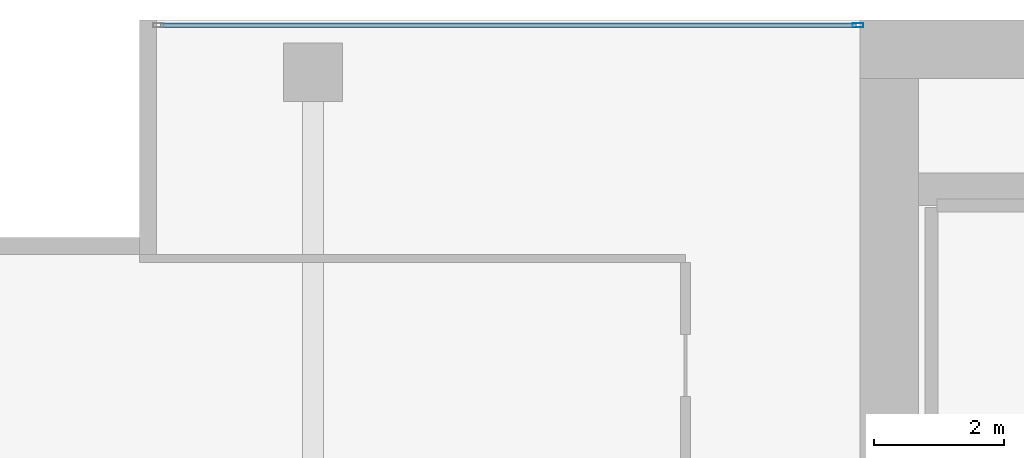
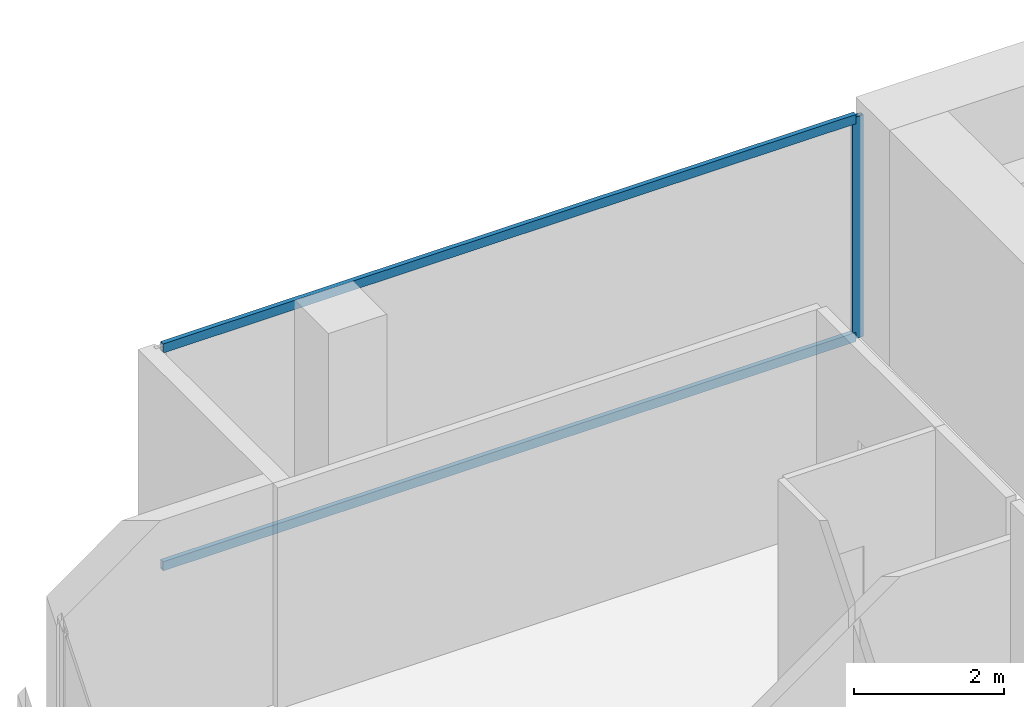
# One storey, part 26 of 40: 3 members, 1 element without a shape of its own.
"""IFC4 building model written with IfcOpenShell, lengths in metres."""

from ifc_helpers import new_model, si_unit, direction, frame, origin, origin_2d, place, context, subcontext, project, spatial, hollow_rectangle, extrude, material, layer, layer_set, material_profile, profile_set, type_object, element, aggregate, save


model = new_model("IFC4")

# Units and contexts
model_context = context("Model", 3, precision=1e-05, world=origin(), true_north=direction((0.0, 1.0)))
body_context = subcontext(model_context, "Body", "Model", "MODEL_VIEW")
ifc_project = project(units=[si_unit("LENGTHUNIT", "METRE"), si_unit("AREAUNIT", "SQUARE_METRE"), si_unit("VOLUMEUNIT", "CUBIC_METRE"), si_unit("PLANEANGLEUNIT", "RADIAN"), si_unit("MASSUNIT", "GRAM", prefix="KILO")], contexts=[model_context])

# Site, building, storey
site_placement = place(None, origin())
site = spatial("IfcSite", under=ifc_project, at=site_placement, CompositionType="ELEMENT")
building_placement = place(site_placement, origin())
building = spatial("IfcBuilding", under=site, at=building_placement, Name="Maruvema Waterfront Hotel and Observation Tower", CompositionType="ELEMENT")
storey_placement = place(building_placement, frame((0.0, 0.0, 80.85009765625)))
storey = spatial("IfcBuildingStorey", under=building, at=storey_placement, Name="L19", CompositionType="ELEMENT", Elevation=80.85009765625)

# Curtain wall, members
ifc_material_1 = material(Name="Anodised bronze aluminium and solar-control low-E IGU", Category="aluminium")
ifc_layer = layer(ifc_material_1, 0.159912109375, Name="Zone 1 Bronze Inner Thermal Curtain Wall System CW-02")
ifc_layer_set = layer_set([ifc_layer], Name="Anodised bronze aluminium and solar-control low-E IGU")
curtain_wall_type = type_object("IfcCurtainWallType", Name="Zone 1 Bronze Inner Thermal Curtain Wall System CW-02", PredefinedType="USERDEFINED", material=ifc_layer_set)
curtain_wall_placement = place(storey_placement, origin())
curtain_wall = element("IfcCurtainWall", 1, at=curtain_wall_placement, inside=storey, type_object=curtain_wall_type, Name="L19 Curtain Wall CW-L19-NW", ObjectType="UNITISED CURTAIN WALL", PredefinedType="USERDEFINED")
ifc_material_2 = material(Name="Anodised architectural bronze aluminium", Category="aluminium")
ifc_material_profile_1 = material_profile(ifc_material_2, hollow_rectangle(XDim=0.070068359375, YDim=0.14990234375, WallThickness=0.00390625, at=origin_2d()), Name="ALU-T70x150")
ifc_profile_set_1 = profile_set([ifc_material_profile_1], Name="Anodised architectural bronze aluminium")
member_type_1 = type_object("IfcMemberType", Name="Curtain Wall Horizontal Transom ALU-T70x150", PredefinedType="USERDEFINED", material=ifc_profile_set_1)
member_1_placement = place(storey_placement, frame((25.139892578125, 53.919921875, 0.02978515625), z_axis=(-1.0, 0.0, 0.0), x_axis=(0.0, -1.0, 0.0)))
member_1 = element("IfcMember", 2, at=member_1_placement, type_object=member_type_1, Name="CW-02 transom 1.1", ObjectType="TRANSOM", PredefinedType="USERDEFINED", context=body_context, shape_type="SweptSolid", body=[
    extrude(hollow_rectangle(XDim=0.070068359375, YDim=0.14990234375, WallThickness=0.00390625, at=origin_2d()), origin(), (0.0, 0.0, 1.0), 10.679931640625),
])
member_2_placement = place(storey_placement, frame((25.139892578125, 53.919921875, 3.579833984375), z_axis=(-1.0, 0.0, 0.0), x_axis=(0.0, -1.0, 0.0)))
member_2 = element("IfcMember", 3, at=member_2_placement, type_object=member_type_1, Name="CW-02 transom 1.2", ObjectType="TRANSOM", PredefinedType="USERDEFINED", context=body_context, shape_type="SweptSolid", body=[
    extrude(hollow_rectangle(XDim=0.070068359375, YDim=0.14990234375, WallThickness=0.00390625, at=origin_2d()), origin(), (0.0, 0.0, 1.0), 10.679931640625),
])
ifc_material_3 = material(Name="Anodised architectural bronze aluminium", Category="aluminium")
ifc_material_profile_2 = material_profile(ifc_material_3, hollow_rectangle(XDim=0.06494140625, YDim=0.1650390625, WallThickness=0.00390625, at=origin_2d()), Name="ALU-M65x165")
ifc_profile_set_2 = profile_set([ifc_material_profile_2], Name="Anodised architectural bronze aluminium")
member_type_2 = type_object("IfcMemberType", Name="Curtain Wall Primary Mullion ALU-M65x165", PredefinedType="MULLION", material=ifc_profile_set_2)
member_3_placement = place(storey_placement, frame((25.169921875, 53.919921875, 0.0), z_axis=(0.0, 0.0, 1.0), x_axis=(0.0, -1.0, 0.0)))
member_3 = element("IfcMember", 4, at=member_3_placement, type_object=member_type_2, Name="CW-02 mullion 1", PredefinedType="MULLION", context=body_context, shape_type="SweptSolid", body=[
    extrude(hollow_rectangle(XDim=0.06494140625, YDim=0.1650390625, WallThickness=0.00390625, at=origin_2d()), origin(), (0.0, 0.0, 1.0), 3.60986328125),
])
aggregate(curtain_wall, [member_3, member_1, member_2])

save(model, "model.ifc")
